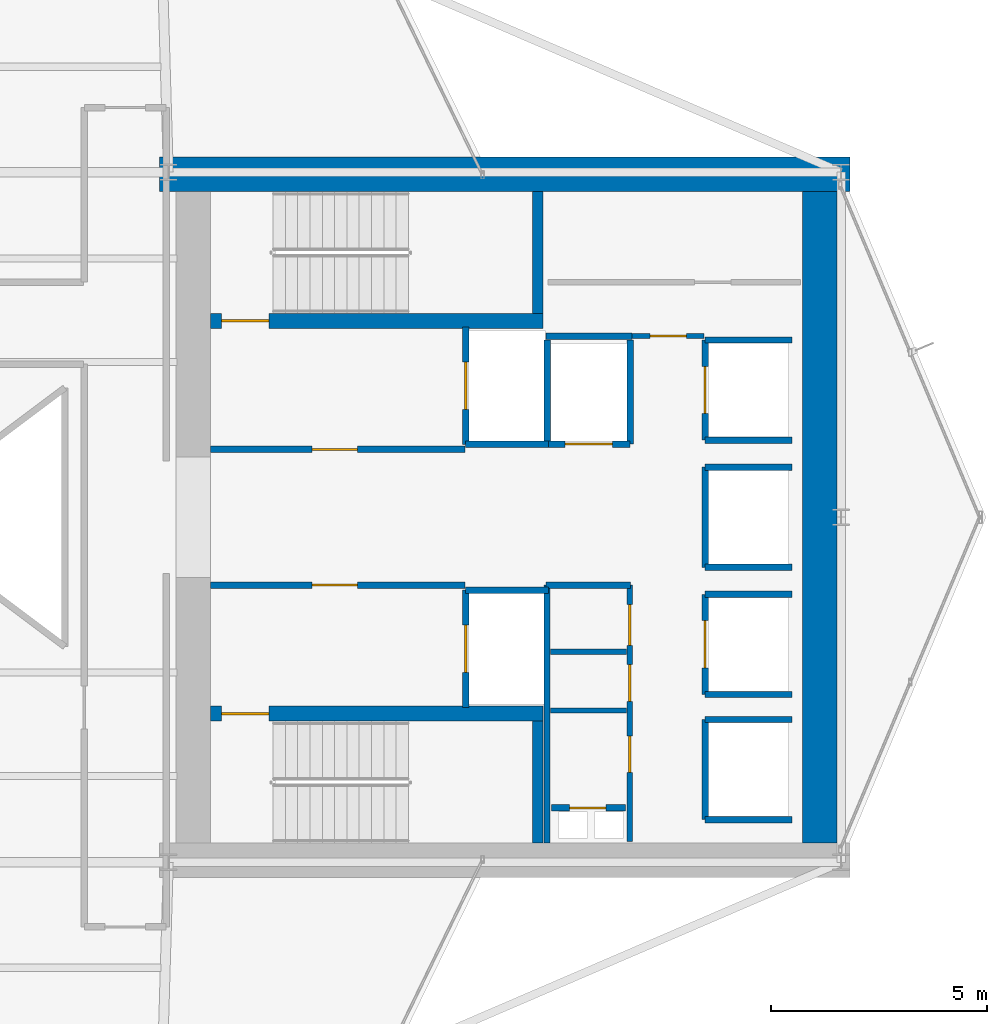
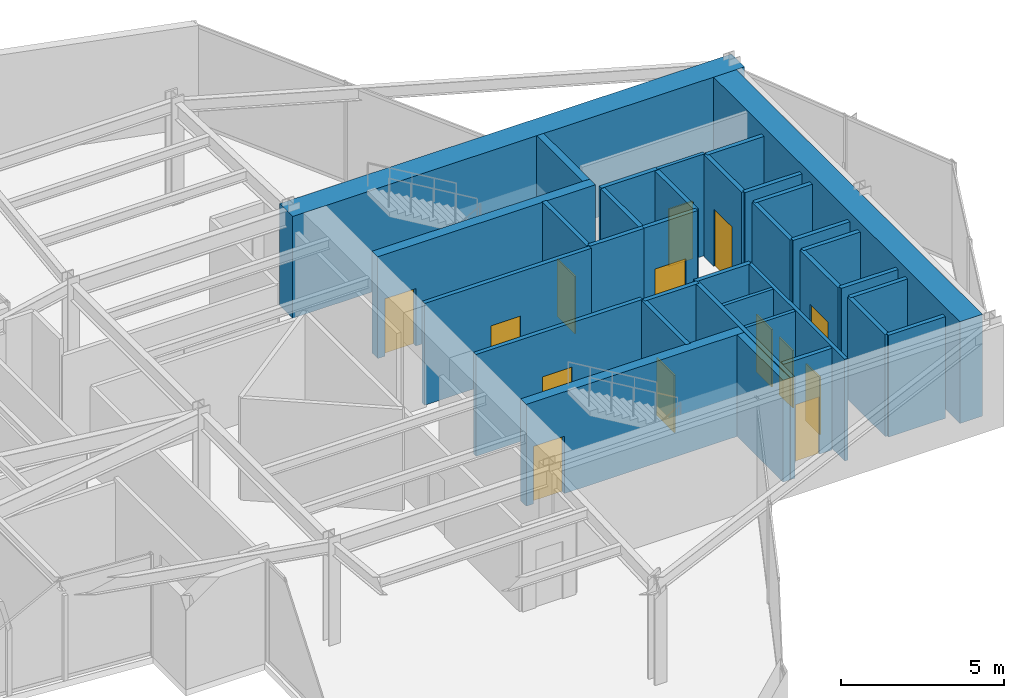
# One storey, part 23 of 25: 35 walls, 14 doors, 14 openings.
"""IFC4 building model written with IfcOpenShell, lengths in metres."""

from ifc_helpers import new_model, si_unit, direction, frame, frame_2d, origin, place, context, subcontext, project, spatial, rectangle, extrude, material, layer, layer_set, type_object, element, fill, save


model = new_model("IFC4")

# Units and contexts
model_context = context("Model", 3, precision=1e-05, world=origin(), true_north=direction((0.0, 1.0)))
body_context = subcontext(model_context, "Body", "Model", "MODEL_VIEW")
ifc_project = project(units=[si_unit("LENGTHUNIT", "METRE"), si_unit("AREAUNIT", "SQUARE_METRE"), si_unit("VOLUMEUNIT", "CUBIC_METRE"), si_unit("PLANEANGLEUNIT", "RADIAN"), si_unit("MASSUNIT", "GRAM", prefix="KILO")], contexts=[model_context])

# Site, building, storey
site_placement = place(None, origin())
site = spatial("IfcSite", under=ifc_project, at=site_placement, CompositionType="ELEMENT")
building_placement = place(site_placement, origin())
building = spatial("IfcBuilding", under=site, at=building_placement, Name="Veymaron Broadcast Tower", CompositionType="ELEMENT")
storey_placement = place(building_placement, frame((0.0, 0.0, 116.85009765625)))
storey = spatial("IfcBuildingStorey", under=building, at=storey_placement, Name="L26", CompositionType="ELEMENT", Elevation=116.85009765625)

# Wall, opening, door
ifc_material_1 = material(Name="Gypsum fireboard and steel stud framing", Category="steel")
ifc_layer_1 = layer(ifc_material_1, 0.14990234375)
ifc_layer_set_1 = layer_set([ifc_layer_1], Name="Gypsum fireboard and steel stud framing")
wall_type_1 = type_object("IfcWallType", Name="WALL-FIRE-150", PredefinedType="PARTITIONING", material=ifc_layer_set_1)
wall_1_placement = place(storey_placement, frame((39.97998046875, 25.574951171875, 0.0), z_axis=(0.0, 0.0, 1.0), x_axis=(1.0, 0.0, 0.0)))
wall_1 = element("IfcWall", 1, at=wall_1_placement, inside=storey, type_object=wall_type_1, Name="L26 partition IW-L26-FFLN-S", PredefinedType="PARTITIONING", context=body_context, shape_type="SweptSolid", body=[
    extrude(rectangle(XDim=5.89990234375, YDim=0.14990234375, at=frame_2d((2.949951171875, 0.0))), origin(), (0.0, 0.0, 1.0), 3.809814453125),
])
opening_1_placement = place(wall_1_placement, frame((2.35009765625, 0.0, 0.0)))
opening_1 = element("IfcOpeningElement", 2, at=opening_1_placement, cuts=wall_1, Name="Opening ID-FL1", PredefinedType="OPENING", context=body_context, shape_type="SweptSolid", body=[
    extrude(rectangle(XDim=1.050048828125, YDim=2.14990234375, at=frame_2d((0.52490234375, 1.074951171875))), frame((0.0, 0.0849609375, 0.0), z_axis=(0.0, -1.0, 0.0), x_axis=(1.0, 0.0, 0.0)), (0.0, 0.0, 1.0), 0.169921875),
])
ifc_material_2 = material(Name="Fire-rated painted hollow steel ASTM A653", Category="steel")
door_type_1 = type_object("IfcDoorType", Name="DOOR-FIRE-1050", OperationType="NOTDEFINED", PredefinedType="DOOR", material=ifc_material_2)
door_1_placement = place(opening_1_placement, origin())
door_1 = element("IfcDoor", 3, at=door_1_placement, inside=storey, type_object=door_type_1, Name="L26 door DR-L26-FFLN", OperationType="SINGLE_SWING_LEFT", OverallHeight=2.14990234375, OverallWidth=1.050048828125, PredefinedType="DOOR", context=body_context, shape_type="SweptSolid", body=[
    extrude(rectangle(XDim=1.050048828125, YDim=2.14990234375, at=frame_2d((0.52490234375, 1.074951171875))), frame((0.0, 0.02490234375, 0.0), z_axis=(0.0, -1.0, 0.0), x_axis=(1.0, 0.0, 0.0)), (0.0, 0.0, 1.0), 0.050048828125),
])
fill(opening_1, door_1)

wall_2_placement = place(storey_placement, frame((39.97998046875, 22.425048828125, 0.0), z_axis=(0.0, 0.0, 1.0), x_axis=(1.0, 0.0, 0.0)))
wall_2 = element("IfcWall", 4, at=wall_2_placement, inside=storey, type_object=wall_type_1, Name="L26 partition IW-L26-FFLS-N", PredefinedType="PARTITIONING", context=body_context, shape_type="SweptSolid", body=[
    extrude(rectangle(XDim=5.89990234375, YDim=0.14990234375, at=frame_2d((2.949951171875, 0.0))), origin(), (0.0, 0.0, 1.0), 3.809814453125),
])
opening_2_placement = place(wall_2_placement, frame((2.35009765625, 0.0, 0.0)))
opening_2 = element("IfcOpeningElement", 5, at=opening_2_placement, cuts=wall_2, Name="Opening ID-FL1", PredefinedType="OPENING", context=body_context, shape_type="SweptSolid", body=[
    extrude(rectangle(XDim=1.050048828125, YDim=2.14990234375, at=frame_2d((0.52490234375, 1.074951171875))), frame((0.0, 0.0849609375, 0.0), z_axis=(0.0, -1.0, 0.0), x_axis=(1.0, 0.0, 0.0)), (0.0, 0.0, 1.0), 0.169921875),
])
door_2_placement = place(opening_2_placement, frame((1.050048828125, 0.0, 0.0), z_axis=(0.0, 0.0, 1.0), x_axis=(-1.0, 0.0, 0.0)))
door_2 = element("IfcDoor", 6, at=door_2_placement, inside=storey, type_object=door_type_1, Name="L26 door DR-L26-FFLS", OperationType="SINGLE_SWING_RIGHT", OverallHeight=2.14990234375, OverallWidth=1.050048828125, PredefinedType="DOOR", context=body_context, shape_type="SweptSolid", body=[
    extrude(rectangle(XDim=1.050048828125, YDim=2.14990234375, at=frame_2d((0.52490234375, 1.074951171875))), frame((0.0, 0.02490234375, 0.0), z_axis=(0.0, -1.0, 0.0), x_axis=(1.0, 0.0, 0.0)), (0.0, 0.0, 1.0), 0.050048828125),
])
fill(opening_2, door_2)

wall_3_placement = place(storey_placement, frame((45.89501953125, 25.68994140625, 0.0), z_axis=(0.0, 0.0, 1.0), x_axis=(0.0, 1.0, 0.0)))
wall_3 = element("IfcWall", 7, at=wall_3_placement, inside=storey, type_object=wall_type_1, Name="L26 partition IW-L26-SHW-FFL-1", PredefinedType="PARTITIONING", context=body_context, shape_type="SweptSolid", body=[
    extrude(rectangle(XDim=2.719970703125, YDim=0.14990234375, at=frame_2d((1.35986328125, 0.0))), origin(), (0.0, 0.0, 1.0), 3.809814453125),
])
opening_3_placement = place(wall_3_placement, frame((0.81005859375, 0.0, 0.0)))
opening_3 = element("IfcOpeningElement", 8, at=opening_3_placement, cuts=wall_3, Name="Opening LD", PredefinedType="OPENING", context=body_context, shape_type="SweptSolid", body=[
    extrude(rectangle(XDim=1.10009765625, YDim=2.14990234375, at=frame_2d((0.550048828125, 1.074951171875))), frame((0.0, 0.0849609375, 0.0), z_axis=(0.0, -1.0, 0.0), x_axis=(1.0, 0.0, 0.0)), (0.0, 0.0, 1.0), 0.169921875),
])
ifc_material_3 = material(Name="Brushed stainless steel AISI 304", Category="steel")
door_type_2 = type_object("IfcDoorType", Name="DOOR-LIFT-1100", OperationType="DOUBLE_DOOR_SLIDING", PredefinedType="DOOR", material=ifc_material_3)
door_3_placement = place(opening_3_placement, frame((1.10009765625, 0.0, 0.0), z_axis=(0.0, 0.0, 1.0), x_axis=(-1.0, 0.0, 0.0)))
door_3 = element("IfcDoor", 9, at=door_3_placement, inside=storey, type_object=door_type_2, Name="L26 door LD-L26-FFL-1", OperationType="DOUBLE_DOOR_SLIDING", OverallHeight=2.14990234375, OverallWidth=1.10009765625, PredefinedType="DOOR", context=body_context, shape_type="SweptSolid", body=[
    extrude(rectangle(XDim=1.10009765625, YDim=2.14990234375, at=frame_2d((0.550048828125, 1.074951171875))), frame((0.0, 0.02490234375, 0.0), z_axis=(0.0, -1.0, 0.0), x_axis=(1.0, 0.0, 0.0)), (0.0, 0.0, 1.0), 0.050048828125),
])
fill(opening_3, door_3)

# Wall
wall_4_placement = place(storey_placement, frame((45.89501953125, 25.68994140625, 0.0), z_axis=(0.0, 0.0, 1.0), x_axis=(1.0, 0.0, 0.0)))
element("IfcWall", 10, at=wall_4_placement, inside=storey, type_object=wall_type_1, Name="L26 partition IW-L26-SHS-FFL-1", PredefinedType="PARTITIONING", context=body_context, shape_type="SweptSolid", body=[
    extrude(rectangle(XDim=1.9150390625, YDim=0.14990234375, at=frame_2d((0.95751953125, 0.0))), origin(), (0.0, 0.0, 1.0), 3.809814453125),
])

# Wall, opening, door
wall_5_placement = place(storey_placement, frame((45.89501953125, 19.590087890625, 0.0), z_axis=(0.0, 0.0, 1.0), x_axis=(0.0, 1.0, 0.0)))
wall_5 = element("IfcWall", 11, at=wall_5_placement, inside=storey, type_object=wall_type_1, Name="L26 partition IW-L26-SHW-FFL-2", PredefinedType="PARTITIONING", context=body_context, shape_type="SweptSolid", body=[
    extrude(rectangle(XDim=2.719970703125, YDim=0.14990234375, at=frame_2d((1.35986328125, 0.0))), origin(), (0.0, 0.0, 1.0), 3.809814453125),
])
opening_4_placement = place(wall_5_placement, frame((0.81005859375, 0.0, 0.0)))
opening_4 = element("IfcOpeningElement", 12, at=opening_4_placement, cuts=wall_5, Name="Opening LD", PredefinedType="OPENING", context=body_context, shape_type="SweptSolid", body=[
    extrude(rectangle(XDim=1.10009765625, YDim=2.14990234375, at=frame_2d((0.550048828125, 1.074951171875))), frame((0.0, 0.0849609375, 0.0), z_axis=(0.0, -1.0, 0.0), x_axis=(1.0, 0.0, 0.0)), (0.0, 0.0, 1.0), 0.169921875),
])
door_4_placement = place(opening_4_placement, frame((1.10009765625, 0.0, 0.0), z_axis=(0.0, 0.0, 1.0), x_axis=(-1.0, 0.0, 0.0)))
door_4 = element("IfcDoor", 13, at=door_4_placement, inside=storey, type_object=door_type_2, Name="L26 door LD-L26-FFL-2", OperationType="DOUBLE_DOOR_SLIDING", OverallHeight=2.14990234375, OverallWidth=1.10009765625, PredefinedType="DOOR", context=body_context, shape_type="SweptSolid", body=[
    extrude(rectangle(XDim=1.10009765625, YDim=2.14990234375, at=frame_2d((0.550048828125, 1.074951171875))), frame((0.0, 0.02490234375, 0.0), z_axis=(0.0, -1.0, 0.0), x_axis=(1.0, 0.0, 0.0)), (0.0, 0.0, 1.0), 0.050048828125),
])
fill(opening_4, door_4)

# Wall
wall_6_placement = place(storey_placement, frame((45.89501953125, 22.31005859375, 0.0), z_axis=(0.0, 0.0, 1.0), x_axis=(1.0, 0.0, 0.0)))
element("IfcWall", 14, at=wall_6_placement, inside=storey, type_object=wall_type_1, Name="L26 partition IW-L26-SHN-FFL-2", PredefinedType="PARTITIONING", context=body_context, shape_type="SweptSolid", body=[
    extrude(rectangle(XDim=1.9150390625, YDim=0.14990234375, at=frame_2d((0.95751953125, 0.0))), origin(), (0.0, 0.0, 1.0), 3.809814453125),
])

# Wall, opening, door
wall_7_placement = place(storey_placement, frame((47.7900390625, 25.695068359375, 0.0), z_axis=(0.0, 0.0, 1.0), x_axis=(1.0, 0.0, 0.0)))
wall_7 = element("IfcWall", 15, at=wall_7_placement, inside=storey, type_object=wall_type_1, Name="L26 partition IW-L26-SHS-SL-1", PredefinedType="PARTITIONING", context=body_context, shape_type="SweptSolid", body=[
    extrude(rectangle(XDim=1.919921875, YDim=0.14990234375, at=frame_2d((0.9599609375, 0.0))), origin(), (0.0, 0.0, 1.0), 3.809814453125),
])
opening_5_placement = place(wall_7_placement, frame((0.409912109375, 0.0, 0.0)))
opening_5 = element("IfcOpeningElement", 16, at=opening_5_placement, cuts=wall_7, Name="Opening LD", PredefinedType="OPENING", context=body_context, shape_type="SweptSolid", body=[
    extrude(rectangle(XDim=1.10009765625, YDim=2.14990234375, at=frame_2d((0.550048828125, 1.074951171875))), frame((0.0, 0.0849609375, 0.0), z_axis=(0.0, -1.0, 0.0), x_axis=(1.0, 0.0, 0.0)), (0.0, 0.0, 1.0), 0.169921875),
])
door_5_placement = place(opening_5_placement, frame((1.10009765625, 0.0, 0.0), z_axis=(0.0, 0.0, 1.0), x_axis=(-1.0, 0.0, 0.0)))
door_5 = element("IfcDoor", 17, at=door_5_placement, inside=storey, type_object=door_type_2, Name="L26 door LD-L26-SL-1", OperationType="DOUBLE_DOOR_SLIDING", OverallHeight=2.14990234375, OverallWidth=1.10009765625, PredefinedType="DOOR", context=body_context, shape_type="SweptSolid", body=[
    extrude(rectangle(XDim=1.10009765625, YDim=2.14990234375, at=frame_2d((0.550048828125, 1.074951171875))), frame((0.0, 0.02490234375, 0.0), z_axis=(0.0, -1.0, 0.0), x_axis=(1.0, 0.0, 0.0)), (0.0, 0.0, 1.0), 0.050048828125),
])
fill(opening_5, door_5)

# Walls
for number, where, z_axis, x_axis, name in (
    (18, (47.7900390625, 25.695068359375, 0.0), (0.0, 0.0, 1.0), (0.0, 1.0, 0.0), "L26 partition IW-L26-SHW-SL-1"),
    (19, (49.7099609375, 25.695068359375, 0.0), (0.0, 0.0, 1.0), (0.0, 1.0, 0.0), "L26 partition IW-L26-SHE-SL-1"),
):
    element("IfcWall", number, at=place(storey_placement, frame(where, z_axis=z_axis, x_axis=x_axis)), inside=storey, type_object=wall_type_1, Name=name, PredefinedType="PARTITIONING", context=body_context, shape_type="SweptSolid", body=[
        extrude(rectangle(XDim=2.4150390625, YDim=0.14990234375, at=frame_2d((1.20751953125, 0.0))), origin(), (0.0, 0.0, 1.0), 3.809814453125),
    ])

# Wall, opening, door
wall_8_placement = place(storey_placement, frame((51.445068359375, 25.7900390625, 0.0), z_axis=(0.0, 0.0, 1.0), x_axis=(0.0, 1.0, 0.0)))
wall_8 = element("IfcWall", 20, at=wall_8_placement, inside=storey, type_object=wall_type_1, Name="L26 partition IW-L26-SHW-PM1", PredefinedType="PARTITIONING", context=body_context, shape_type="SweptSolid", body=[
    extrude(rectangle(XDim=2.320068359375, YDim=0.14990234375, at=frame_2d((1.16015625, 0.0))), origin(), (0.0, 0.0, 1.0), 3.809814453125),
])
opening_6_placement = place(wall_8_placement, frame((0.610107421875, 0.0, 0.0)))
opening_6 = element("IfcOpeningElement", 21, at=opening_6_placement, cuts=wall_8, Name="Opening LD", PredefinedType="OPENING", context=body_context, shape_type="SweptSolid", body=[
    extrude(rectangle(XDim=1.10009765625, YDim=2.14990234375, at=frame_2d((0.550048828125, 1.074951171875))), frame((0.0, 0.0849609375, 0.0), z_axis=(0.0, -1.0, 0.0), x_axis=(1.0, 0.0, 0.0)), (0.0, 0.0, 1.0), 0.169921875),
])
door_6_placement = place(opening_6_placement, frame((1.10009765625, 0.0, 0.0), z_axis=(0.0, 0.0, 1.0), x_axis=(-1.0, 0.0, 0.0)))
door_6 = element("IfcDoor", 22, at=door_6_placement, inside=storey, type_object=door_type_2, Name="L26 door LD-L26-PM1", OperationType="DOUBLE_DOOR_SLIDING", OverallHeight=2.14990234375, OverallWidth=1.10009765625, PredefinedType="DOOR", context=body_context, shape_type="SweptSolid", body=[
    extrude(rectangle(XDim=1.10009765625, YDim=2.14990234375, at=frame_2d((0.550048828125, 1.074951171875))), frame((0.0, 0.02490234375, 0.0), z_axis=(0.0, -1.0, 0.0), x_axis=(1.0, 0.0, 0.0)), (0.0, 0.0, 1.0), 0.050048828125),
])
fill(opening_6, door_6)

# Walls
for number, where, z_axis, x_axis, name in (
    (23, (51.445068359375, 25.7900390625, 0.0), (0.0, 0.0, 1.0), (1.0, 0.0, 0.0), "L26 partition IW-L26-SHS-PM1"),
    (24, (51.445068359375, 28.110107421875, 0.0), (0.0, 0.0, 1.0), (1.0, 0.0, 0.0), "L26 partition IW-L26-SHN-PM1"),
):
    element("IfcWall", number, at=place(storey_placement, frame(where, z_axis=z_axis, x_axis=x_axis)), inside=storey, type_object=wall_type_1, Name=name, PredefinedType="PARTITIONING", context=body_context, shape_type="SweptSolid", body=[
        extrude(rectangle(XDim=2.014892578125, YDim=0.14990234375, at=frame_2d((1.00732421875, 0.0))), origin(), (0.0, 0.0, 1.0), 3.809814453125),
    ])

# Wall, opening, door
wall_9_placement = place(storey_placement, frame((51.445068359375, 19.889892578125, 0.0), z_axis=(0.0, 0.0, 1.0), x_axis=(0.0, 1.0, 0.0)))
wall_9 = element("IfcWall", 25, at=wall_9_placement, inside=storey, type_object=wall_type_1, Name="L26 partition IW-L26-SHW-PM2", PredefinedType="PARTITIONING", context=body_context, shape_type="SweptSolid", body=[
    extrude(rectangle(XDim=2.320068359375, YDim=0.14990234375, at=frame_2d((1.16015625, 0.0))), origin(), (0.0, 0.0, 1.0), 3.809814453125),
])
opening_7_placement = place(wall_9_placement, frame((0.610107421875, 0.0, 0.0)))
opening_7 = element("IfcOpeningElement", 26, at=opening_7_placement, cuts=wall_9, Name="Opening LD", PredefinedType="OPENING", context=body_context, shape_type="SweptSolid", body=[
    extrude(rectangle(XDim=1.10009765625, YDim=2.14990234375, at=frame_2d((0.550048828125, 1.074951171875))), frame((0.0, 0.0849609375, 0.0), z_axis=(0.0, -1.0, 0.0), x_axis=(1.0, 0.0, 0.0)), (0.0, 0.0, 1.0), 0.169921875),
])
door_7_placement = place(opening_7_placement, frame((1.10009765625, 0.0, 0.0), z_axis=(0.0, 0.0, 1.0), x_axis=(-1.0, 0.0, 0.0)))
door_7 = element("IfcDoor", 27, at=door_7_placement, inside=storey, type_object=door_type_2, Name="L26 door LD-L26-PM2", OperationType="DOUBLE_DOOR_SLIDING", OverallHeight=2.14990234375, OverallWidth=1.10009765625, PredefinedType="DOOR", context=body_context, shape_type="SweptSolid", body=[
    extrude(rectangle(XDim=1.10009765625, YDim=2.14990234375, at=frame_2d((0.550048828125, 1.074951171875))), frame((0.0, 0.02490234375, 0.0), z_axis=(0.0, -1.0, 0.0), x_axis=(1.0, 0.0, 0.0)), (0.0, 0.0, 1.0), 0.050048828125),
])
fill(opening_7, door_7)

# Walls
for number, where, z_axis, x_axis, name in (
    (28, (51.445068359375, 19.889892578125, 0.0), (0.0, 0.0, 1.0), (1.0, 0.0, 0.0), "L26 partition IW-L26-SHS-PM2"),
    (29, (51.445068359375, 22.2099609375, 0.0), (0.0, 0.0, 1.0), (1.0, 0.0, 0.0), "L26 partition IW-L26-SHN-PM2"),
):
    element("IfcWall", number, at=place(storey_placement, frame(where, z_axis=z_axis, x_axis=x_axis)), inside=storey, type_object=wall_type_1, Name=name, PredefinedType="PARTITIONING", context=body_context, shape_type="SweptSolid", body=[
        extrude(rectangle(XDim=2.014892578125, YDim=0.14990234375, at=frame_2d((1.00732421875, 0.0))), origin(), (0.0, 0.0, 1.0), 3.809814453125),
    ])
wall_10_placement = place(storey_placement, frame((51.445068359375, 22.840087890625, 0.0), z_axis=(0.0, 0.0, 1.0), x_axis=(0.0, 1.0, 0.0)))
element("IfcWall", 30, at=wall_10_placement, inside=storey, type_object=wall_type_1, Name="L26 partition IW-L26-SHW-PM3", PredefinedType="PARTITIONING", context=body_context, shape_type="SweptSolid", body=[
    extrude(rectangle(XDim=2.31982421875, YDim=0.14990234375, at=frame_2d((1.159912109375, 0.0))), origin(), (0.0, 0.0, 1.0), 3.809814453125),
])
for number, where, z_axis, x_axis, name in (
    (31, (51.445068359375, 22.840087890625, 0.0), (0.0, 0.0, 1.0), (1.0, 0.0, 0.0), "L26 partition IW-L26-SHS-PM3"),
    (32, (51.445068359375, 25.159912109375, 0.0), (0.0, 0.0, 1.0), (1.0, 0.0, 0.0), "L26 partition IW-L26-SHN-PM3"),
):
    element("IfcWall", number, at=place(storey_placement, frame(where, z_axis=z_axis, x_axis=x_axis)), inside=storey, type_object=wall_type_1, Name=name, PredefinedType="PARTITIONING", context=body_context, shape_type="SweptSolid", body=[
        extrude(rectangle(XDim=2.014892578125, YDim=0.14990234375, at=frame_2d((1.00732421875, 0.0))), origin(), (0.0, 0.0, 1.0), 3.809814453125),
    ])
wall_11_placement = place(storey_placement, frame((51.445068359375, 16.989990234375, 0.0), z_axis=(0.0, 0.0, 1.0), x_axis=(0.0, 1.0, 0.0)))
element("IfcWall", 33, at=wall_11_placement, inside=storey, type_object=wall_type_1, Name="L26 partition IW-L26-SHW-PH1", PredefinedType="PARTITIONING", context=body_context, shape_type="SweptSolid", body=[
    extrude(rectangle(XDim=2.320068359375, YDim=0.14990234375, at=frame_2d((1.16015625, 0.0))), origin(), (0.0, 0.0, 1.0), 3.809814453125),
])
for number, where, z_axis, x_axis, name in (
    (34, (51.445068359375, 16.989990234375, 0.0), (0.0, 0.0, 1.0), (1.0, 0.0, 0.0), "L26 partition IW-L26-SHS-PH1"),
    (35, (51.445068359375, 19.31005859375, 0.0), (0.0, 0.0, 1.0), (1.0, 0.0, 0.0), "L26 partition IW-L26-SHN-PH1"),
):
    element("IfcWall", number, at=place(storey_placement, frame(where, z_axis=z_axis, x_axis=x_axis)), inside=storey, type_object=wall_type_1, Name=name, PredefinedType="PARTITIONING", context=body_context, shape_type="SweptSolid", body=[
        extrude(rectangle(XDim=2.014892578125, YDim=0.14990234375, at=frame_2d((1.00732421875, 0.0))), origin(), (0.0, 0.0, 1.0), 3.809814453125),
    ])

# Wall, opening, door
wall_12_placement = place(storey_placement, frame((47.8798828125, 17.260009765625, 0.0), z_axis=(0.0, 0.0, 1.0), x_axis=(1.0, 0.0, 0.0)))
wall_12 = element("IfcWall", 36, at=wall_12_placement, inside=storey, type_object=wall_type_1, Name="L26 partition IW-L26-RIS-N", PredefinedType="PARTITIONING", context=body_context, shape_type="SweptSolid", body=[
    extrude(rectangle(XDim=1.72021484375, YDim=0.14990234375, at=frame_2d((0.860107421875, 0.0))), origin(), (0.0, 0.0, 1.0), 3.809814453125),
])
opening_8_placement = place(wall_12_placement, frame((0.419921875, 0.0, 0.0)))
opening_8 = element("IfcOpeningElement", 37, at=opening_8_placement, cuts=wall_12, Name="Opening ID-RS1", PredefinedType="OPENING", context=body_context, shape_type="SweptSolid", body=[
    extrude(rectangle(XDim=0.85009765625, YDim=2.14990234375, at=frame_2d((0.425048828125, 1.074951171875))), frame((0.0, 0.0849609375, 0.0), z_axis=(0.0, -1.0, 0.0), x_axis=(1.0, 0.0, 0.0)), (0.0, 0.0, 1.0), 0.169921875),
])
ifc_material_4 = material(Name="Fire-rated powder-coated steel riser leaf", Category="steel")
door_type_3 = type_object("IfcDoorType", Name="DOOR-RIS-850", OperationType="NOTDEFINED", PredefinedType="TRAPDOOR", material=ifc_material_4)
door_8_placement = place(opening_8_placement, origin())
door_8 = element("IfcDoor", 38, at=door_8_placement, inside=storey, type_object=door_type_3, Name="L26 door DR-L26-RIS", OperationType="SINGLE_SWING_LEFT", OverallHeight=2.14990234375, OverallWidth=0.85009765625, PredefinedType="TRAPDOOR", context=body_context, shape_type="SweptSolid", body=[
    extrude(rectangle(XDim=0.85009765625, YDim=2.14990234375, at=frame_2d((0.425048828125, 1.074951171875))), frame((0.0, 0.02490234375, 0.0), z_axis=(0.0, -1.0, 0.0), x_axis=(1.0, 0.0, 0.0)), (0.0, 0.0, 1.0), 0.050048828125),
])
fill(opening_8, door_8)

# Walls
wall_13_placement = place(storey_placement, frame((47.760009765625, 22.425048828125, 0.0), z_axis=(0.0, 0.0, 1.0), x_axis=(1.0, 0.0, 0.0)))
element("IfcWall", 39, at=wall_13_placement, inside=storey, type_object=wall_type_1, Name="L26 partition IW-L26-SM-N", PredefinedType="PARTITIONING", context=body_context, shape_type="SweptSolid", body=[
    extrude(rectangle(XDim=1.9599609375, YDim=0.14990234375, at=frame_2d((0.97998046875, 0.0))), origin(), (0.0, 0.0, 1.0), 3.809814453125),
])
wall_14_placement = place(storey_placement, frame((47.780029296875, 16.449951171875, 0.0), z_axis=(0.0, 0.0, 1.0), x_axis=(0.0, 1.0, 0.0)))
element("IfcWall", 40, at=wall_14_placement, inside=storey, type_object=wall_type_1, Name="L26 partition IW-L26-SM-W", PredefinedType="PARTITIONING", context=body_context, shape_type="SweptSolid", body=[
    extrude(rectangle(XDim=5.97509765625, YDim=0.14990234375, at=frame_2d((2.987548828125, 0.0))), origin(), (0.0, 0.0, 1.0), 3.809814453125),
])
wall_15_placement = place(storey_placement, frame((47.760009765625, 28.199951171875, 0.0), z_axis=(0.0, 0.0, 1.0), x_axis=(1.0, 0.0, 0.0)))
element("IfcWall", 41, at=wall_15_placement, inside=storey, type_object=wall_type_1, Name="L26 partition IW-L26-F1-SW", PredefinedType="PARTITIONING", context=body_context, shape_type="SweptSolid", body=[
    extrude(rectangle(XDim=1.989990234375, YDim=0.14990234375, at=frame_2d((0.9951171875, 0.0))), origin(), (0.0, 0.0, 1.0), 3.809814453125),
])
ifc_material_5 = material(Name="Acoustic gypsum board and galvanized stud", Category="gypsum")
ifc_layer_2 = layer(ifc_material_5, 0.1201171875)
ifc_layer_set_2 = layer_set([ifc_layer_2], Name="Acoustic gypsum board and galvanized stud")
wall_type_2 = type_object("IfcWallType", Name="WALL-PART-120", PredefinedType="PARTITIONING", material=ifc_layer_set_2)
for number, where, z_axis, x_axis, name in (
    (42, (47.860107421875, 19.52001953125, 0.0), (0.0, 0.0, 1.0), (1.0, 0.0, 0.0), "L26 partition IW-L26-SM-D1"),
    (43, (47.860107421875, 20.8798828125, 0.0), (0.0, 0.0, 1.0), (1.0, 0.0, 0.0), "L26 partition IW-L26-SM-D2"),
):
    element("IfcWall", number, at=place(storey_placement, frame(where, z_axis=z_axis, x_axis=x_axis)), inside=storey, type_object=wall_type_2, Name=name, PredefinedType="PARTITIONING", context=body_context, shape_type="SweptSolid", body=[
        extrude(rectangle(XDim=1.760009765625, YDim=0.1201171875, at=frame_2d((0.8798828125, 0.0))), origin(), (0.0, 0.0, 1.0), 3.809814453125),
    ])

# Wall, openings, doors
wall_16_placement = place(storey_placement, frame((49.699951171875, 16.47998046875, 0.0), z_axis=(0.0, 0.0, 1.0), x_axis=(0.0, 1.0, 0.0)))
wall_16 = element("IfcWall", 44, at=wall_16_placement, inside=storey, type_object=wall_type_2, Name="L26 partition IW-L26-SM-E", PredefinedType="PARTITIONING", context=body_context, shape_type="SweptSolid", body=[
    extrude(rectangle(XDim=5.945068359375, YDim=0.1201171875, at=frame_2d((2.97265625, 0.0))), origin(), (0.0, 0.0, 1.0), 3.809814453125),
])
opening_9_placement = place(wall_16_placement, frame((1.60009765625, 0.0, 0.0)))
opening_9 = element("IfcOpeningElement", 45, at=opening_9_placement, cuts=wall_16, Name="Opening ID-WC1", PredefinedType="OPENING", context=body_context, shape_type="SweptSolid", body=[
    extrude(rectangle(XDim=0.85009765625, YDim=2.14990234375, at=frame_2d((0.425048828125, 1.074951171875))), frame((0.0, 0.070068359375, 0.0), z_axis=(0.0, -1.0, 0.0), x_axis=(1.0, 0.0, 0.0)), (0.0, 0.0, 1.0), 0.14013671875),
])
opening_10_placement = place(wall_16_placement, frame((3.25, 0.0, 0.0)))
opening_10 = element("IfcOpeningElement", 46, at=opening_10_placement, cuts=wall_16, Name="Opening ID-WC1", PredefinedType="OPENING", context=body_context, shape_type="SweptSolid", body=[
    extrude(rectangle(XDim=0.85009765625, YDim=2.14990234375, at=frame_2d((0.425048828125, 1.074951171875))), frame((0.0, 0.070068359375, 0.0), z_axis=(0.0, -1.0, 0.0), x_axis=(1.0, 0.0, 0.0)), (0.0, 0.0, 1.0), 0.14013671875),
])
opening_11_placement = place(wall_16_placement, frame((4.550048828125, 0.0, 0.0)))
opening_11 = element("IfcOpeningElement", 47, at=opening_11_placement, cuts=wall_16, Name="Opening ID-RM1", PredefinedType="OPENING", context=body_context, shape_type="SweptSolid", body=[
    extrude(rectangle(XDim=0.949951171875, YDim=2.14990234375, at=frame_2d((0.47509765625, 1.074951171875))), frame((0.0, 0.070068359375, 0.0), z_axis=(0.0, -1.0, 0.0), x_axis=(1.0, 0.0, 0.0)), (0.0, 0.0, 1.0), 0.14013671875),
])
ifc_material_6 = material(Name="Moisture-resistant high-pressure laminate timber", Category="wood")
door_type_4 = type_object("IfcDoorType", Name="DOOR-INT-850", OperationType="NOTDEFINED", PredefinedType="DOOR", material=ifc_material_6)
door_9_placement = place(opening_9_placement, frame((0.85009765625, 0.0, 0.0), z_axis=(0.0, 0.0, 1.0), x_axis=(-1.0, 0.0, 0.0)))
door_9 = element("IfcDoor", 48, at=door_9_placement, inside=storey, type_object=door_type_4, Name="L26 door DR-L26-JST", OperationType="SINGLE_SWING_LEFT", OverallHeight=2.14990234375, OverallWidth=0.85009765625, PredefinedType="DOOR", context=body_context, shape_type="SweptSolid", body=[
    extrude(rectangle(XDim=0.85009765625, YDim=2.14990234375, at=frame_2d((0.425048828125, 1.074951171875))), frame((0.0, 0.02490234375, 0.0), z_axis=(0.0, -1.0, 0.0), x_axis=(1.0, 0.0, 0.0)), (0.0, 0.0, 1.0), 0.050048828125),
])
fill(opening_9, door_9)
door_10_placement = place(opening_10_placement, frame((0.85009765625, 0.0, 0.0), z_axis=(0.0, 0.0, 1.0), x_axis=(-1.0, 0.0, 0.0)))
door_10 = element("IfcDoor", 49, at=door_10_placement, inside=storey, type_object=door_type_4, Name="L26 door DR-L26-SWC", OperationType="SINGLE_SWING_RIGHT", OverallHeight=2.14990234375, OverallWidth=0.85009765625, PredefinedType="DOOR", context=body_context, shape_type="SweptSolid", body=[
    extrude(rectangle(XDim=0.85009765625, YDim=2.14990234375, at=frame_2d((0.425048828125, 1.074951171875))), frame((0.0, 0.02490234375, 0.0), z_axis=(0.0, -1.0, 0.0), x_axis=(1.0, 0.0, 0.0)), (0.0, 0.0, 1.0), 0.050048828125),
])
fill(opening_10, door_10)
ifc_material_7 = material(Name="Acoustic solid-core European oak veneer timber", Category="wood")
door_type_5 = type_object("IfcDoorType", Name="DOOR-INT-950", OperationType="NOTDEFINED", PredefinedType="DOOR", material=ifc_material_7)
door_11_placement = place(opening_11_placement, frame((0.949951171875, 0.0, 0.0), z_axis=(0.0, 0.0, 1.0), x_axis=(-1.0, 0.0, 0.0)))
door_11 = element("IfcDoor", 50, at=door_11_placement, inside=storey, type_object=door_type_5, Name="L26 door DR-L26-AWC", OperationType="SINGLE_SWING_LEFT", OverallHeight=2.14990234375, OverallWidth=0.949951171875, PredefinedType="DOOR", context=body_context, shape_type="SweptSolid", body=[
    extrude(rectangle(XDim=0.949951171875, YDim=2.14990234375, at=frame_2d((0.47509765625, 1.074951171875))), frame((0.0, 0.02490234375, 0.0), z_axis=(0.0, -1.0, 0.0), x_axis=(1.0, 0.0, 0.0)), (0.0, 0.0, 1.0), 0.050048828125),
])
fill(opening_11, door_11)

# Wall, opening, door
wall_17_placement = place(storey_placement, frame((49.75, 28.199951171875, 0.0), z_axis=(0.0, 0.0, 1.0), x_axis=(1.0, 0.0, 0.0)))
wall_17 = element("IfcWall", 51, at=wall_17_placement, inside=storey, type_object=wall_type_2, Name="L26 partition IW-L26-F1-S", PredefinedType="PARTITIONING", context=body_context, shape_type="SweptSolid", body=[
    extrude(rectangle(XDim=1.669921875, YDim=0.1201171875, at=frame_2d((0.8349609375, 0.0))), origin(), (0.0, 0.0, 1.0), 3.809814453125),
])
opening_12_placement = place(wall_17_placement, frame((0.419921875, 0.0, 0.0)))
opening_12 = element("IfcOpeningElement", 52, at=opening_12_placement, cuts=wall_17, Name="Opening ID-WC1", PredefinedType="OPENING", context=body_context, shape_type="SweptSolid", body=[
    extrude(rectangle(XDim=0.85009765625, YDim=2.14990234375, at=frame_2d((0.425048828125, 1.074951171875))), frame((0.0, 0.070068359375, 0.0), z_axis=(0.0, -1.0, 0.0), x_axis=(1.0, 0.0, 0.0)), (0.0, 0.0, 1.0), 0.14013671875),
])
door_12_placement = place(opening_12_placement, origin())
door_12 = element("IfcDoor", 53, at=door_12_placement, inside=storey, type_object=door_type_4, Name="L26 door DR-L26-F1A", OperationType="SINGLE_SWING_LEFT", OverallHeight=2.14990234375, OverallWidth=0.85009765625, PredefinedType="DOOR", context=body_context, shape_type="SweptSolid", body=[
    extrude(rectangle(XDim=0.85009765625, YDim=2.14990234375, at=frame_2d((0.425048828125, 1.074951171875))), frame((0.0, 0.02490234375, 0.0), z_axis=(0.0, -1.0, 0.0), x_axis=(1.0, 0.0, 0.0)), (0.0, 0.0, 1.0), 0.050048828125),
])
fill(opening_12, door_12)

# Walls
ifc_material_8 = material(Name="Concrete C50/60", Category="concrete")
ifc_layer_3 = layer(ifc_material_8, 0.25)
ifc_layer_set_3 = layer_set([ifc_layer_3], Name="Concrete C50/60")
wall_type_3 = type_object("IfcWallType", Name="WALL-SHEAR-250", PredefinedType="SHEAR", material=ifc_layer_set_3)
for number, where, z_axis, x_axis, name in (
    (54, (47.56494140625, 28.72998046875, 0.0), (0.0, 0.0, 1.0), (0.0, 1.0, 0.0), "L26 Core Wall north stair east shear"),
    (55, (47.56494140625, 16.449951171875, 0.0), (0.0, 0.0, 1.0), (0.0, 1.0, 0.0), "L26 Core Wall south stair east shear"),
):
    element("IfcWall", number, at=place(storey_placement, frame(where, z_axis=z_axis, x_axis=x_axis)), inside=storey, type_object=wall_type_3, Name=name, PredefinedType="SHEAR", context=body_context, shape_type="SweptSolid", body=[
        extrude(rectangle(XDim=2.820068359375, YDim=0.25, at=frame_2d((1.41015625, 0.0))), origin(), (0.0, 0.0, 1.0), 3.809814453125),
    ])

# Wall, opening, door
ifc_layer_4 = layer(ifc_material_8, 0.35009765625)
ifc_layer_set_4 = layer_set([ifc_layer_4], Name="Concrete C50/60")
wall_type_4 = type_object("IfcWallType", Name="WALL-SHEAR-350", PredefinedType="SHEAR", material=ifc_layer_set_4)
wall_18_placement = place(storey_placement, frame((39.97998046875, 28.554931640625, 0.0), z_axis=(0.0, 0.0, 1.0), x_axis=(1.0, 0.0, 0.0)))
wall_18 = element("IfcWall", 56, at=wall_18_placement, inside=storey, type_object=wall_type_4, Name="L26 Core Wall north stair spine", PredefinedType="SHEAR", context=body_context, shape_type="SweptSolid", body=[
    extrude(rectangle(XDim=7.7099609375, YDim=0.35009765625, at=frame_2d((3.85498046875, 0.0))), origin(), (0.0, 0.0, 1.0), 3.809814453125),
])
opening_13_placement = place(wall_18_placement, frame((0.25, 0.0, 0.0)))
opening_13 = element("IfcOpeningElement", 57, at=opening_13_placement, cuts=wall_18, Name="Opening ID-ST1", PredefinedType="OPENING", context=body_context, shape_type="SweptSolid", body=[
    extrude(rectangle(XDim=1.10009765625, YDim=2.14990234375, at=frame_2d((0.550048828125, 1.074951171875))), frame((0.0, 0.18505859375, 0.0), z_axis=(0.0, -1.0, 0.0), x_axis=(1.0, 0.0, 0.0)), (0.0, 0.0, 1.0), 0.3701171875),
])
door_type_6 = type_object("IfcDoorType", Name="DOOR-STAIR-1100", OperationType="NOTDEFINED", PredefinedType="DOOR", material=ifc_material_2)
door_13_placement = place(opening_13_placement, origin())
door_13 = element("IfcDoor", 58, at=door_13_placement, inside=storey, type_object=door_type_6, Name="L26 exit stair ST1 fire door", OperationType="SINGLE_SWING_LEFT", OverallHeight=2.14990234375, OverallWidth=1.10009765625, PredefinedType="DOOR", context=body_context, shape_type="SweptSolid", body=[
    extrude(rectangle(XDim=1.10009765625, YDim=2.14990234375, at=frame_2d((0.550048828125, 1.074951171875))), frame((0.0, 0.02490234375, 0.0), z_axis=(0.0, -1.0, 0.0), x_axis=(1.0, 0.0, 0.0)), (0.0, 0.0, 1.0), 0.050048828125),
])
fill(opening_13, door_13)

wall_19_placement = place(storey_placement, frame((39.97998046875, 19.445068359375, 0.0), z_axis=(0.0, 0.0, 1.0), x_axis=(1.0, 0.0, 0.0)))
wall_19 = element("IfcWall", 59, at=wall_19_placement, inside=storey, type_object=wall_type_4, Name="L26 Core Wall south stair spine", PredefinedType="SHEAR", context=body_context, shape_type="SweptSolid", body=[
    extrude(rectangle(XDim=7.7099609375, YDim=0.35009765625, at=frame_2d((3.85498046875, 0.0))), origin(), (0.0, 0.0, 1.0), 3.809814453125),
])
opening_14_placement = place(wall_19_placement, frame((0.25, 0.0, 0.0)))
opening_14 = element("IfcOpeningElement", 60, at=opening_14_placement, cuts=wall_19, Name="Opening ID-ST1", PredefinedType="OPENING", context=body_context, shape_type="SweptSolid", body=[
    extrude(rectangle(XDim=1.10009765625, YDim=2.14990234375, at=frame_2d((0.550048828125, 1.074951171875))), frame((0.0, 0.18505859375, 0.0), z_axis=(0.0, -1.0, 0.0), x_axis=(1.0, 0.0, 0.0)), (0.0, 0.0, 1.0), 0.3701171875),
])
door_14_placement = place(opening_14_placement, frame((1.10009765625, 0.0, 0.0), z_axis=(0.0, 0.0, 1.0), x_axis=(-1.0, 0.0, 0.0)))
door_14 = element("IfcDoor", 61, at=door_14_placement, inside=storey, type_object=door_type_6, Name="L26 exit stair ST2 fire door", OperationType="SINGLE_SWING_RIGHT", OverallHeight=2.14990234375, OverallWidth=1.10009765625, PredefinedType="DOOR", context=body_context, shape_type="SweptSolid", body=[
    extrude(rectangle(XDim=1.10009765625, YDim=2.14990234375, at=frame_2d((0.550048828125, 1.074951171875))), frame((0.0, 0.02490234375, 0.0), z_axis=(0.0, -1.0, 0.0), x_axis=(1.0, 0.0, 0.0)), (0.0, 0.0, 1.0), 0.050048828125),
])
fill(opening_14, door_14)

# Walls
ifc_material_9 = material(Name="Concrete C60/75", Category="concrete")
ifc_layer_5 = layer(ifc_material_9, 0.800048828125)
ifc_layer_set_5 = layer_set([ifc_layer_5], Name="Concrete C60/75")
wall_type_5 = type_object("IfcWallType", Name="WALL-SHEAR-800", PredefinedType="SHEAR", material=ifc_layer_set_5)
wall_20_placement = place(storey_placement, frame((38.800048828125, 31.949951171875, 0.0), z_axis=(0.0, 0.0, 1.0), x_axis=(1.0, 0.0, 0.0)))
element("IfcWall", 62, at=wall_20_placement, inside=storey, type_object=wall_type_5, Name="L26 Core Wall north shear", PredefinedType="SHEAR", context=body_context, shape_type="SweptSolid", body=[
    extrude(rectangle(XDim=16.0, YDim=0.800048828125, at=frame_2d((8.0, 0.0))), origin(), (0.0, 0.0, 1.0), 3.809814453125),
])
wall_21_placement = place(storey_placement, frame((54.10009765625, 16.449951171875, 0.0), z_axis=(0.0, 0.0, 1.0), x_axis=(0.0, 1.0, 0.0)))
element("IfcWall", 63, at=wall_21_placement, inside=storey, type_object=wall_type_5, Name="L26 Core Wall east shear", PredefinedType="SHEAR", context=body_context, shape_type="SweptSolid", body=[
    extrude(rectangle(XDim=15.10009765625, YDim=0.800048828125, at=frame_2d((7.550048828125, 0.0))), origin(), (0.0, 0.0, 1.0), 3.809814453125),
])

save(model, "model.ifc")
